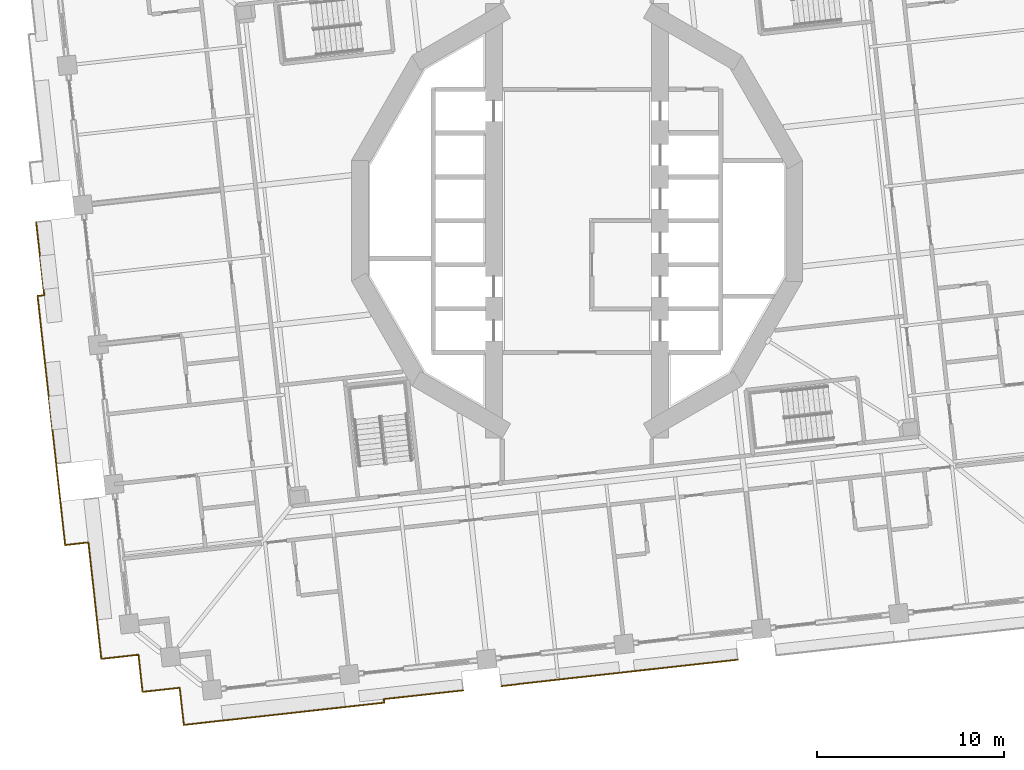
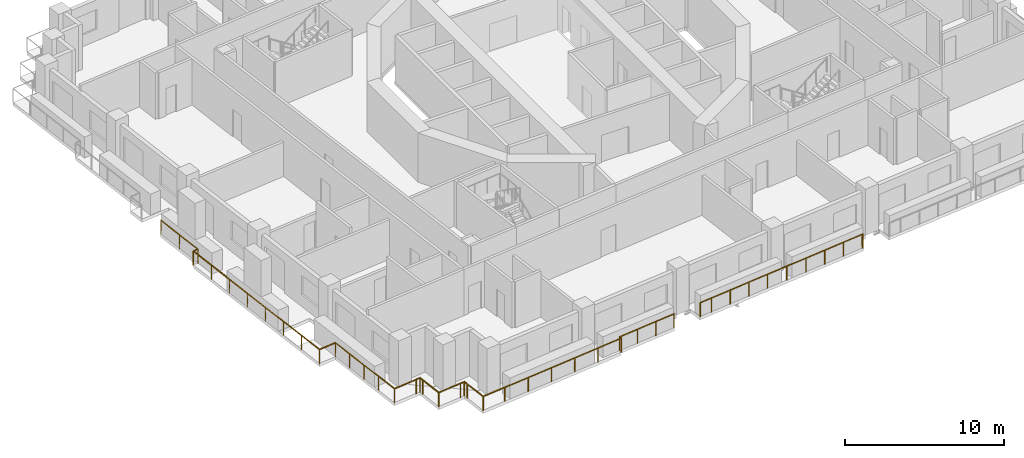
# One storey, part 15 of 20: 3 railings.
"""IFC4 building model written with IfcOpenShell, lengths in metres."""

import ifcopenshell
import ifcopenshell.guid

model = None  # the IFC model being written
_history = None  # IfcOwnerHistory: only IFC2X3 demands one
_inside = {}  # id of a spatial element -> (the spatial element, [elements in it])
_under = {}  # id of a project, library or spatial element -> (it, [spatial elements below it])
_declared = {}  # id of a project -> (the project, [libraries it declares])
_typed = {}  # id of a type object -> (the type object, [elements of that type])
_made_of = {}  # id of a material, layer set ... -> (it, [elements and type objects made of it])


def new_model(schema):
    """Start an empty IFC model of exactly this schema.

    Asked for "IFC4X3", IfcOpenShell would pick the latest addendum, in which some entities
    have other attributes; the version numbers below select the first issue.
    IFC2X3 requires an IfcOwnerHistory on every rooted entity: one is made here for all.
    """
    global model, _history
    if schema == "IFC4X3":
        model = ifcopenshell.file(schema_version=(4, 3, 0, 0))
    else:
        model = ifcopenshell.file(schema=schema)
    _inside.clear()
    _under.clear()
    _declared.clear()
    _typed.clear()
    _made_of.clear()
    _history = None
    if model.schema == "IFC2X3":
        org = make("IfcOrganization", Name="unknown")
        user = make(
            "IfcPersonAndOrganization",
            ThePerson=make("IfcPerson", FamilyName="unknown"),
            TheOrganization=org,
        )
        app = make(
            "IfcApplication",
            ApplicationDeveloper=org,
            Version="unknown",
            ApplicationFullName="unknown",
            ApplicationIdentifier="unknown",
        )
        _history = make(
            "IfcOwnerHistory",
            OwningUser=user,
            OwningApplication=app,
            ChangeAction="ADDED",
            CreationDate=0,
        )
    return model


def make(cls, **values):
    """One entity of the class cls with the attributes given. An attribute that is None is left unset."""
    return model.create_entity(
        cls, **{name: value for name, value in values.items() if value is not None}
    )


def rooted(cls, **values):
    """An entity with a GlobalId (a new one), such as an element, a storey or a relation."""
    return make(cls, GlobalId=ifcopenshell.guid.new(), OwnerHistory=_history, **values)


def si_unit(unit_type, name, prefix=None):
    """IfcSIUnit, for example si_unit("LENGTHUNIT", "METRE", prefix="MILLI")."""
    return make("IfcSIUnit", UnitType=unit_type, Prefix=prefix, Name=name)


def assignment(units):
    """IfcUnitAssignment: the units of a project."""
    return None if units is None else make("IfcUnitAssignment", Units=units)


def point(xyz):
    """IfcCartesianPoint."""
    return None if xyz is None else make("IfcCartesianPoint", Coordinates=xyz)


def direction(xyz):
    """IfcDirection."""
    return None if xyz is None else make("IfcDirection", DirectionRatios=xyz)


def frame(location, z_axis=None, x_axis=None):
    """IfcAxis2Placement3D, a coordinate frame: its origin and axes. An axis left out is left unset."""
    return make(
        "IfcAxis2Placement3D",
        Location=point(location),
        Axis=direction(z_axis),
        RefDirection=direction(x_axis),
    )


def frame_2d(location, x_axis=None):
    """IfcAxis2Placement2D, a coordinate frame in the plane: its origin and x axis."""
    return make(
        "IfcAxis2Placement2D", Location=point(location), RefDirection=direction(x_axis)
    )


def origin():
    """The frame at (0, 0, 0) with its axes left unset."""
    return frame((0.0, 0.0, 0.0))


def origin_2d():
    """The frame at (0, 0) in the plane with its x axis left unset."""
    return frame_2d((0.0, 0.0))


def place(relative_to, where):
    """IfcLocalPlacement: puts the frame where relative to a parent placement (None: the world)."""
    return make(
        "IfcLocalPlacement", PlacementRelTo=relative_to, RelativePlacement=where
    )


def context(
    kind, dimensions, precision=None, world=None, true_north=None, identifier=None
):
    """IfcGeometricRepresentationContext, for example the 3D "Model" context."""
    return make(
        "IfcGeometricRepresentationContext",
        ContextIdentifier=identifier,
        ContextType=kind,
        CoordinateSpaceDimension=dimensions,
        Precision=precision,
        WorldCoordinateSystem=world,
        TrueNorth=true_north,
    )


def subcontext(parent, identifier, kind, view, scale=None):
    """IfcGeometricRepresentationSubContext, for example "Body" below "Model"."""
    return make(
        "IfcGeometricRepresentationSubContext",
        ContextIdentifier=identifier,
        ContextType=kind,
        ParentContext=parent,
        TargetScale=scale,
        TargetView=view,
    )


def project(units=None, contexts=None):
    """IfcProject with its units and contexts."""
    return rooted(
        "IfcProject",
        Name="project",
        RepresentationContexts=contexts,
        UnitsInContext=assignment(units),
    )


def spatial(cls, under=None, at=None, **own):
    """A site, building, storey or space (cls), placed at a placement, below another one or the project."""
    s = rooted(cls, ObjectPlacement=at, **own)
    if under is not None:
        _under.setdefault(under.id(), (under, []))[1].append(s)
    return s


def profile(cls, at=None, kind="AREA", **sizes):
    """A parametric profile (cls). Its sizes go by their IFC names, for example OverallWidth=200.0."""
    return make(cls, ProfileType=kind, Position=at, **sizes)


def circle(**sizes):
    """IfcCircleProfileDef."""
    return profile("IfcCircleProfileDef", **sizes)


def extrude(swept, where, along, depth):
    """IfcExtrudedAreaSolid: the profile swept, set in the frame where, extruded along a direction by depth."""
    return make(
        "IfcExtrudedAreaSolid",
        SweptArea=swept,
        Position=where,
        ExtrudedDirection=direction(along),
        Depth=depth,
    )


def shape(context_of_items, identifier, shape_type, items):
    """IfcShapeRepresentation: the items that make up one representation, for example the "Body"."""
    return make(
        "IfcShapeRepresentation",
        ContextOfItems=context_of_items,
        RepresentationIdentifier=identifier,
        RepresentationType=shape_type,
        Items=items,
    )


def material(Name=None, Category=None):
    """IfcMaterial."""
    return make("IfcMaterial", Name=Name, Category=Category)


def made_of(thing, what):
    """Note that an element or type object is made of a material, layer set ...; save() writes the relation."""
    if what is not None:
        _made_of.setdefault(what.id(), (what, []))[1].append(thing)
    return thing


def type_object(cls, material=None, **own):
    """A type object (cls), such as IfcWallType, which elements share."""
    return made_of(rooted(cls, **own), material)


def element(
    cls,
    number,
    at=None,
    inside=None,
    cuts=None,
    type_object=None,
    material=None,
    context=None,
    identifier="Body",
    shape_type=None,
    held_by="IfcProductDefinitionShape",
    body=None,
    shapes=None,
    **own,
):
    """One element of the class cls, such as IfcWall. Its Tag is "e" and its number.

    at: its placement. inside: the storey or other place that contains it. cuts: it is an
    opening in that element (IfcRelVoidsElement). A single representation is given by context,
    identifier, shape_type and body (its items); several are given by shapes. held_by: the class
    of the entity that holds the representations. save() writes the other relations.
    """
    e = rooted(cls, Tag="e%d" % number, ObjectPlacement=at, **own)
    if body is not None:
        shapes = [shape(context, identifier, shape_type, body)]
    if shapes is not None:
        e.Representation = make(held_by, Representations=shapes)
    if inside is not None:
        _inside.setdefault(inside.id(), (inside, []))[1].append(e)
    if cuts is not None:
        rooted(
            "IfcRelVoidsElement", RelatingBuildingElement=cuts, RelatedOpeningElement=e
        )
    if type_object is not None:
        _typed.setdefault(type_object.id(), (type_object, []))[1].append(e)
    return made_of(e, material)


def aggregate(whole, parts):
    """IfcRelAggregates: a whole, such as a stair, and the parts it consists of."""
    return rooted("IfcRelAggregates", RelatingObject=whole, RelatedObjects=parts)


def save(model, path):
    """Write the relations noted so far, then the file.

    IfcRelAggregates (storeys below a building ...), IfcRelContainedInSpatialStructure (elements
    in a storey), IfcRelDefinesByType, IfcRelAssociatesMaterial and IfcRelDeclares: one each for
    every whole, place, type object, material and project.
    """
    for whole, parts in _under.values():
        aggregate(whole, parts)
    for where, things in _inside.values():
        rooted(
            "IfcRelContainedInSpatialStructure",
            RelatedElements=things,
            RelatingStructure=where,
        )
    for kind, things in _typed.values():
        rooted("IfcRelDefinesByType", RelatedObjects=things, RelatingType=kind)
    for what, things in _made_of.values():
        rooted("IfcRelAssociatesMaterial", RelatedObjects=things, RelatingMaterial=what)
    for by, libraries in _declared.values():
        rooted("IfcRelDeclares", RelatingContext=by, RelatedDefinitions=libraries)
    model.write(path)


model = new_model("IFC4")

# Units and contexts
model_context = context("Model", 3, precision=1e-05, world=origin(), true_north=direction((0.0, 1.0)))
body_context = subcontext(model_context, "Body", "Model", "MODEL_VIEW")
ifc_project = project(units=[si_unit("LENGTHUNIT", "METRE"), si_unit("AREAUNIT", "SQUARE_METRE"), si_unit("VOLUMEUNIT", "CUBIC_METRE"), si_unit("PLANEANGLEUNIT", "RADIAN"), si_unit("MASSUNIT", "GRAM", prefix="KILO")], contexts=[model_context])

# Site, building, storey
site_placement = place(None, origin())
site = spatial("IfcSite", under=ifc_project, at=site_placement, CompositionType="ELEMENT")
building_placement = place(site_placement, origin())
building = spatial("IfcBuilding", under=site, at=building_placement, Name="Cantera Rosa Tower", CompositionType="ELEMENT")
storey_placement = place(building_placement, frame((0.0, 0.0, 46.300048828125)))
storey = spatial("IfcBuildingStorey", under=building, at=storey_placement, Name="L08", CompositionType="ELEMENT", Elevation=46.300048828125)

# Railings
ifc_material = material(Name="Stainless steel and laminated glass", Category="steel")
railing_type = type_object("IfcRailingType", Name="GUARD 1100", PredefinedType="BALUSTRADE", material=ifc_material)
railing_1_placement = place(storey_placement, frame((-25.46826171875, -23.45263671875, 0.0)))
element("IfcRailing", 1, at=railing_1_placement, inside=storey, type_object=railing_type, Name="GUARD L08-1", PredefinedType="BALUSTRADE", context=body_context, shape_type="SweptSolid", body=[
    extrude(circle(Radius=0.030029296875, at=origin_2d()), frame((0.0, 0.0, 1.070068359375), z_axis=(-0.110289669906, 0.993899486222, 0.0), x_axis=(-0.993899486222, -0.110289669906, 0.0)), (0.0, 0.0, 1.0), 1.699951171875),
    extrude(circle(Radius=0.030029296875, at=origin_2d()), frame((-0.1875, 1.689697265625, 1.070068359375), z_axis=(-0.110355311719, 0.993892199977, 0.0), x_axis=(-0.993892199977, -0.110355311719, 0.0)), (0.0, 0.0, 1.0), 4.570556640625),
    extrude(circle(Radius=0.030029296875, at=origin_2d()), frame((-0.69189453125, 6.232421875, 1.070068359375), z_axis=(-0.993886117565, -0.110410077944, 0.0), x_axis=(0.110410077944, -0.993886117565, 0.0)), (0.0, 0.0, 1.0), 1.249267578125),
    extrude(circle(Radius=0.030029296875, at=origin_2d()), frame((-1.93359375, 6.094482421875, 1.070068359375), z_axis=(-0.110309714757, 0.993897261708, 0.0), x_axis=(-0.993897261708, -0.110309714757, 0.0)), (0.0, 0.0, 1.0), 13.418701171875),
    extrude(circle(Radius=0.030029296875, at=origin_2d()), frame((-3.413818359375, 19.431396484375, 1.070068359375), z_axis=(0.993859025053, 0.110653686428, 0.0), x_axis=(-0.110653686428, 0.993859025053, 0.0)), (0.0, 0.0, 1.0), 0.36181640625),
    extrude(circle(Radius=0.030029296875, at=origin_2d()), frame((-3.05419921875, 19.471435546875, 1.070068359375), z_axis=(-0.11028192342, 0.993900345793, 0.0), x_axis=(-0.993900345793, -0.11028192342, 0.0)), (0.0, 0.0, 1.0), 3.9404296875),
    extrude(circle(Radius=0.02490234375, at=origin_2d()), origin(), (0.0, 0.0, 1.0), 1.0400390625),
    extrude(circle(Radius=0.02490234375, at=origin_2d()), frame((-0.1875, 1.689697265625, 0.0)), (0.0, 0.0, 1.0), 1.0400390625),
    extrude(circle(Radius=0.02490234375, at=origin_2d()), frame((-0.355712890625, 3.203857421875, 0.0)), (0.0, 0.0, 1.0), 1.0400390625),
    extrude(circle(Radius=0.02490234375, at=origin_2d()), frame((-0.523681640625, 4.71826171875, 0.0)), (0.0, 0.0, 1.0), 1.0400390625),
    extrude(circle(Radius=0.02490234375, at=origin_2d()), frame((-0.69189453125, 6.232421875, 0.0)), (0.0, 0.0, 1.0), 1.0400390625),
    extrude(circle(Radius=0.02490234375, at=origin_2d()), frame((-1.93359375, 6.094482421875, 0.0)), (0.0, 0.0, 1.0), 1.0400390625),
    extrude(circle(Radius=0.02490234375, at=origin_2d()), frame((-2.14501953125, 7.999755859375, 0.0)), (0.0, 0.0, 1.0), 1.0400390625),
    extrude(circle(Radius=0.02490234375, at=origin_2d()), frame((-2.3564453125, 9.905029296875, 0.0)), (0.0, 0.0, 1.0), 1.0400390625),
    extrude(circle(Radius=0.02490234375, at=origin_2d()), frame((-2.56787109375, 11.810302734375, 0.0)), (0.0, 0.0, 1.0), 1.0400390625),
    extrude(circle(Radius=0.02490234375, at=origin_2d()), frame((-2.779541015625, 13.715576171875, 0.0)), (0.0, 0.0, 1.0), 1.0400390625),
    extrude(circle(Radius=0.02490234375, at=origin_2d()), frame((-2.990966796875, 15.620849609375, 0.0)), (0.0, 0.0, 1.0), 1.0400390625),
    extrude(circle(Radius=0.02490234375, at=origin_2d()), frame((-3.202392578125, 17.526123046875, 0.0)), (0.0, 0.0, 1.0), 1.0400390625),
    extrude(circle(Radius=0.02490234375, at=origin_2d()), frame((-3.413818359375, 19.431396484375, 0.0)), (0.0, 0.0, 1.0), 1.0400390625),
    extrude(circle(Radius=0.02490234375, at=origin_2d()), frame((-3.05419921875, 19.471435546875, 0.0)), (0.0, 0.0, 1.0), 1.0400390625),
    extrude(circle(Radius=0.02490234375, at=origin_2d()), frame((-3.271484375, 21.4296875, 0.0)), (0.0, 0.0, 1.0), 1.0400390625),
    extrude(circle(Radius=0.02490234375, at=origin_2d()), frame((-3.48876953125, 23.387939453125, 0.0)), (0.0, 0.0, 1.0), 1.0400390625),
])
railing_2_placement = place(storey_placement, frame((-6.094482421875, -25.135498046875, 0.0)))
element("IfcRailing", 2, at=railing_2_placement, inside=storey, type_object=railing_type, Name="GUARD L08-2", PredefinedType="BALUSTRADE", context=body_context, shape_type="SweptSolid", body=[
    extrude(circle(Radius=0.030029296875, at=origin_2d()), frame((0.0, 0.0, 1.070068359375), z_axis=(-0.993892795835, -0.110349945117, 0.0), x_axis=(0.110349945117, -0.993892795835, 0.0)), (0.0, 0.0, 1.0), 4.27001953125),
    extrude(circle(Radius=0.030029296875, at=origin_2d()), frame((-4.243896484375, -0.47119140625, 1.070068359375), z_axis=(0.110431526075, -0.993883734674, 0.0), x_axis=(0.993883734674, 0.110431526075, 0.0)), (0.0, 0.0, 1.0), 0.190185546875),
    extrude(circle(Radius=0.030029296875, at=origin_2d()), frame((-4.222900390625, -0.66015625, 1.070068359375), z_axis=(-0.993899102511, -0.110293127745, 0.0), x_axis=(0.110293127745, -0.993899102511, 0.0)), (0.0, 0.0, 1.0), 9.099853515625),
    extrude(circle(Radius=0.030029296875, at=origin_2d()), frame((-13.267333984375, -1.663818359375, 1.070068359375), z_axis=(-0.993883734674, -0.110431526075, 0.0), x_axis=(0.110431526075, -0.993883734674, 0.0)), (0.0, 0.0, 1.0), 1.7001953125),
    extrude(circle(Radius=0.030029296875, at=origin_2d()), frame((-14.95703125, -1.8515625, 1.070068359375), z_axis=(-0.110289669906, 0.993899486222, 0.0), x_axis=(-0.993899486222, -0.110289669906, 0.0)), (0.0, 0.0, 1.0), 1.699951171875),
    extrude(circle(Radius=0.030029296875, at=origin_2d()), frame((-15.14453125, -0.161865234375, 1.070068359375), z_axis=(-0.110699535641, 0.99385391925, 0.0), x_axis=(-0.99385391925, -0.110699535641, 0.0)), (0.0, 0.0, 1.0), 0.300048828125),
    extrude(circle(Radius=0.030029296875, at=origin_2d()), frame((-15.177734375, 0.13623046875, 1.070068359375), z_axis=(-0.993943154022, -0.10989543472, 0.0), x_axis=(0.10989543472, -0.993943154022, 0.0)), (0.0, 0.0, 1.0), 0.2998046875),
    extrude(circle(Radius=0.030029296875, at=origin_2d()), frame((-15.475830078125, 0.103271484375, 1.070068359375), z_axis=(-0.993899486222, -0.110289669906, 0.0), x_axis=(0.110289669906, -0.993899486222, 0.0)), (0.0, 0.0, 1.0), 1.699951171875),
    extrude(circle(Radius=0.030029296875, at=origin_2d()), frame((-17.16552734375, -0.084228515625, 1.070068359375), z_axis=(-0.110305413813, 0.993897739047, 0.0), x_axis=(-0.993897739047, -0.110305413813, 0.0)), (0.0, 0.0, 1.0), 1.69970703125),
    extrude(circle(Radius=0.030029296875, at=origin_2d()), frame((-17.35302734375, 1.605224609375, 1.070068359375), z_axis=(-0.1098065887, 0.993952973273, 0.0), x_axis=(-0.993952973273, -0.1098065887, 0.0)), (0.0, 0.0, 1.0), 0.300048828125),
    extrude(circle(Radius=0.030029296875, at=origin_2d()), frame((-17.385986328125, 1.903564453125, 1.070068359375), z_axis=(-0.993863881828, -0.110610055588, 0.0), x_axis=(0.110610055588, -0.993863881828, 0.0)), (0.0, 0.0, 1.0), 0.30029296875),
    extrude(circle(Radius=0.030029296875, at=origin_2d()), frame((-17.684326171875, 1.870361328125, 1.070068359375), z_axis=(-0.993897739047, -0.110305413813, 0.0), x_axis=(0.110305413813, -0.993897739047, 0.0)), (0.0, 0.0, 1.0), 1.69970703125),
    extrude(circle(Radius=0.02490234375, at=origin_2d()), origin(), (0.0, 0.0, 1.0), 1.0400390625),
    extrude(circle(Radius=0.02490234375, at=origin_2d()), frame((-1.41455078125, -0.156982421875, 0.0)), (0.0, 0.0, 1.0), 1.0400390625),
    extrude(circle(Radius=0.02490234375, at=origin_2d()), frame((-2.829345703125, -0.314208984375, 0.0)), (0.0, 0.0, 1.0), 1.0400390625),
    extrude(circle(Radius=0.02490234375, at=origin_2d()), frame((-4.243896484375, -0.47119140625, 0.0)), (0.0, 0.0, 1.0), 1.0400390625),
    extrude(circle(Radius=0.02490234375, at=origin_2d()), frame((-4.222900390625, -0.66015625, 0.0)), (0.0, 0.0, 1.0), 1.0400390625),
    extrude(circle(Radius=0.02490234375, at=origin_2d()), frame((-6.03173828125, -0.86083984375, 0.0)), (0.0, 0.0, 1.0), 1.0400390625),
    extrude(circle(Radius=0.02490234375, at=origin_2d()), frame((-7.840576171875, -1.0615234375, 0.0)), (0.0, 0.0, 1.0), 1.0400390625),
    extrude(circle(Radius=0.02490234375, at=origin_2d()), frame((-9.649658203125, -1.262451171875, 0.0)), (0.0, 0.0, 1.0), 1.0400390625),
    extrude(circle(Radius=0.02490234375, at=origin_2d()), frame((-11.45849609375, -1.463134765625, 0.0)), (0.0, 0.0, 1.0), 1.0400390625),
    extrude(circle(Radius=0.02490234375, at=origin_2d()), frame((-13.267333984375, -1.663818359375, 0.0)), (0.0, 0.0, 1.0), 1.0400390625),
    extrude(circle(Radius=0.02490234375, at=origin_2d()), frame((-14.95703125, -1.8515625, 0.0)), (0.0, 0.0, 1.0), 1.0400390625),
    extrude(circle(Radius=0.02490234375, at=origin_2d()), frame((-15.14453125, -0.161865234375, 0.0)), (0.0, 0.0, 1.0), 1.0400390625),
    extrude(circle(Radius=0.02490234375, at=origin_2d()), frame((-15.177734375, 0.13623046875, 0.0)), (0.0, 0.0, 1.0), 1.0400390625),
    extrude(circle(Radius=0.02490234375, at=origin_2d()), frame((-15.475830078125, 0.103271484375, 0.0)), (0.0, 0.0, 1.0), 1.0400390625),
    extrude(circle(Radius=0.02490234375, at=origin_2d()), frame((-17.16552734375, -0.084228515625, 0.0)), (0.0, 0.0, 1.0), 1.0400390625),
    extrude(circle(Radius=0.02490234375, at=origin_2d()), frame((-17.35302734375, 1.605224609375, 0.0)), (0.0, 0.0, 1.0), 1.0400390625),
    extrude(circle(Radius=0.02490234375, at=origin_2d()), frame((-17.385986328125, 1.903564453125, 0.0)), (0.0, 0.0, 1.0), 1.0400390625),
    extrude(circle(Radius=0.02490234375, at=origin_2d()), frame((-17.684326171875, 1.870361328125, 0.0)), (0.0, 0.0, 1.0), 1.0400390625),
    extrude(circle(Radius=0.02490234375, at=origin_2d()), frame((-19.373779296875, 1.682861328125, 0.0)), (0.0, 0.0, 1.0), 1.0400390625),
])
railing_3_placement = place(storey_placement, frame((8.6142578125, -23.4931640625, 0.0)))
element("IfcRailing", 3, at=railing_3_placement, inside=storey, type_object=railing_type, Name="GUARD L08-6", PredefinedType="BALUSTRADE", context=body_context, shape_type="SweptSolid", body=[
    extrude(circle(Radius=0.030029296875, at=origin_2d()), frame((0.0, 0.0, 1.070068359375), z_axis=(-0.994136314057, -0.108134125389, 0.0), x_axis=(0.108134125389, -0.994136314057, 0.0)), (0.0, 0.0, 1.0), 0.070068359375),
    extrude(circle(Radius=0.030029296875, at=origin_2d()), frame((-0.069580078125, -0.007568359375, 1.070068359375), z_axis=(-0.993891851654, -0.110358448777, 0.0), x_axis=(0.110358448777, -0.993891851654, 0.0)), (0.0, 0.0, 1.0), 4.400146484375),
    extrude(circle(Radius=0.030029296875, at=origin_2d()), frame((-4.44287109375, -0.4931640625, 1.070068359375), z_axis=(-0.993901585709, -0.110270748271, 0.0), x_axis=(0.110270748271, -0.993901585709, 0.0)), (0.0, 0.0, 1.0), 3.0),
    extrude(circle(Radius=0.030029296875, at=origin_2d()), frame((-7.424560546875, -0.823974609375, 1.070068359375), z_axis=(-0.993894580964, -0.110333865747, 0.0), x_axis=(0.110333865747, -0.993894580964, 0.0)), (0.0, 0.0, 1.0), 4.39013671875),
    extrude(circle(Radius=0.030029296875, at=origin_2d()), frame((-11.787841796875, -1.308349609375, 1.070068359375), z_axis=(0.099503719021, -0.99503719021, 0.0), x_axis=(0.99503719021, 0.099503719021, 0.0)), (0.0, 0.0, 1.0), 0.009765625),
    extrude(circle(Radius=0.030029296875, at=origin_2d()), frame((-11.786865234375, -1.318115234375, 1.070068359375), z_axis=(-0.993914151413, -0.110157431075, 0.0), x_axis=(0.110157431075, -0.993914151413, 0.0)), (0.0, 0.0, 1.0), 0.8798828125),
    extrude(circle(Radius=0.02490234375, at=origin_2d()), origin(), (0.0, 0.0, 1.0), 1.0400390625),
    extrude(circle(Radius=0.02490234375, at=origin_2d()), frame((-0.069580078125, -0.007568359375, 0.0)), (0.0, 0.0, 1.0), 1.0400390625),
    extrude(circle(Radius=0.02490234375, at=origin_2d()), frame((-1.52734375, -0.16943359375, 0.0)), (0.0, 0.0, 1.0), 1.0400390625),
    extrude(circle(Radius=0.02490234375, at=origin_2d()), frame((-2.985107421875, -0.331298828125, 0.0)), (0.0, 0.0, 1.0), 1.0400390625),
    extrude(circle(Radius=0.02490234375, at=origin_2d()), frame((-4.44287109375, -0.4931640625, 0.0)), (0.0, 0.0, 1.0), 1.0400390625),
    extrude(circle(Radius=0.02490234375, at=origin_2d()), frame((-5.93359375, -0.65869140625, 0.0)), (0.0, 0.0, 1.0), 1.0400390625),
    extrude(circle(Radius=0.02490234375, at=origin_2d()), frame((-7.424560546875, -0.823974609375, 0.0)), (0.0, 0.0, 1.0), 1.0400390625),
    extrude(circle(Radius=0.02490234375, at=origin_2d()), frame((-8.87890625, -0.9853515625, 0.0)), (0.0, 0.0, 1.0), 1.0400390625),
    extrude(circle(Radius=0.02490234375, at=origin_2d()), frame((-10.33349609375, -1.14697265625, 0.0)), (0.0, 0.0, 1.0), 1.0400390625),
    extrude(circle(Radius=0.02490234375, at=origin_2d()), frame((-11.787841796875, -1.308349609375, 0.0)), (0.0, 0.0, 1.0), 1.0400390625),
    extrude(circle(Radius=0.02490234375, at=origin_2d()), frame((-11.786865234375, -1.318115234375, 0.0)), (0.0, 0.0, 1.0), 1.0400390625),
    extrude(circle(Radius=0.02490234375, at=origin_2d()), frame((-12.661376953125, -1.4150390625, 0.0)), (0.0, 0.0, 1.0), 1.0400390625),
])

save(model, "model.ifc")
